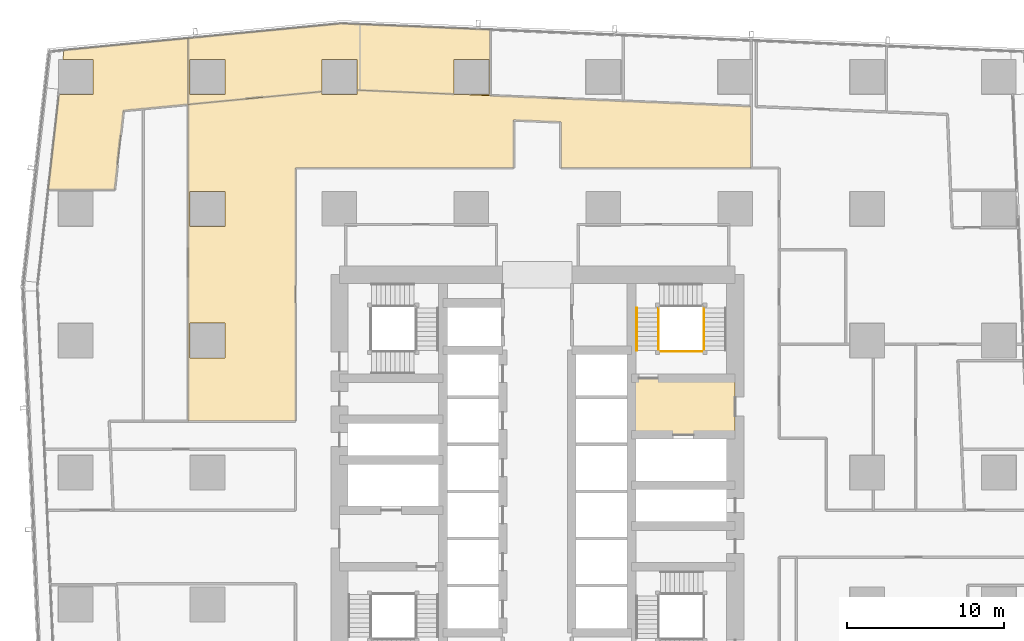
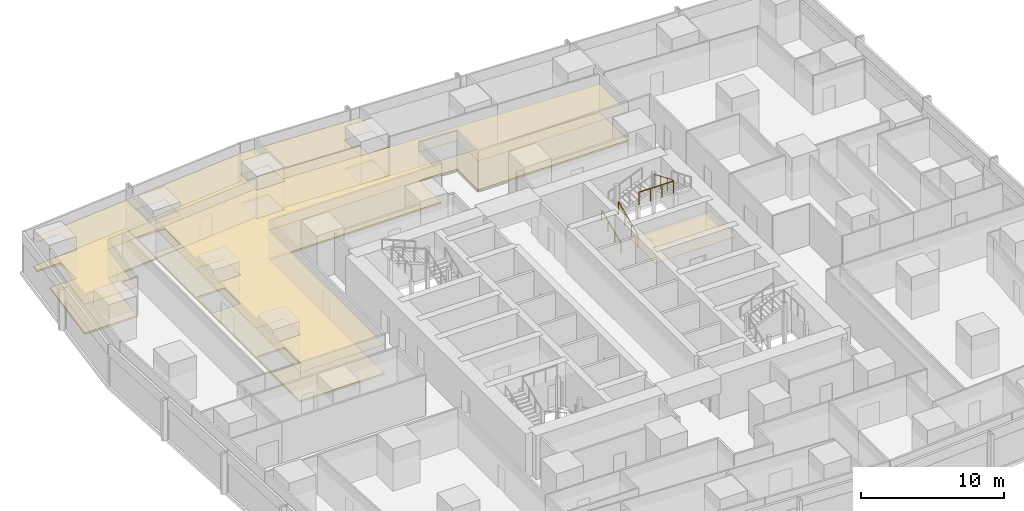
# One storey, part 43 of 45: 7 coverings, 4 railings.
"""IFC4 building model written with IfcOpenShell, lengths in metres."""

from ifc_helpers import new_model, si_unit, direction, frame, origin, origin_2d, place, context, subcontext, project, spatial, polyline, circle, outline, extrude, material, layer, layer_set, type_object, element, save


model = new_model("IFC4")

# Units and contexts
model_context = context("Model", 3, precision=1e-05, world=origin(), true_north=direction((0.0, 1.0)))
body_context = subcontext(model_context, "Body", "Model", "MODEL_VIEW")
ifc_project = project(units=[si_unit("LENGTHUNIT", "METRE"), si_unit("AREAUNIT", "SQUARE_METRE"), si_unit("VOLUMEUNIT", "CUBIC_METRE"), si_unit("PLANEANGLEUNIT", "RADIAN"), si_unit("MASSUNIT", "GRAM", prefix="KILO")], contexts=[model_context])

# Site, building, storey
site_placement = place(None, origin())
site = spatial("IfcSite", under=ifc_project, at=site_placement, CompositionType="ELEMENT")
building_placement = place(site_placement, origin())
building = spatial("IfcBuilding", under=site, at=building_placement, Name="Rekha Terrace Tower", CompositionType="ELEMENT")
storey_placement = place(building_placement, frame((0.0, 0.0, 44.14990234375)))
storey = spatial("IfcBuildingStorey", under=building, at=storey_placement, Name="L10", CompositionType="ELEMENT", Elevation=44.14990234375)

# Coverings
ifc_material_1 = material(Name="Mineral fibre tile in exposed grid", Category="finish")
ifc_layer_1 = layer(ifc_material_1, 0.02001953125)
ifc_layer_set_1 = layer_set([ifc_layer_1], Name="Mineral fibre tile in exposed grid")
covering_type_1 = type_object("IfcCoveringType", Name="CL1 600x1200 office grid ceiling", PredefinedType="CEILING", material=ifc_layer_set_1)
covering_1_placement = place(storey_placement, frame((0.0, 0.0, 2.580078125)))
element("IfcCovering", 1, at=covering_1_placement, inside=storey, type_object=covering_type_1, Name="Ceiling L10-13", PredefinedType="CEILING", context=body_context, shape_type="SweptSolid", body=[
    extrude(outline(polyline([(25.325927734375, 62.199951171875), (15.572998046875, 61.261962890625), (15.572998046875, 57.04296875), (24.0849609375, 57.862060546875), (24.0849609375, 59.9150390625), (26.31494140625, 59.9150390625), (26.31494140625, 57.9560546875), (26.508056640625, 57.947998046875), (32.485107421875, 57.700927734375), (32.485107421875, 59.9150390625), (34.715087890625, 59.9150390625), (34.715087890625, 57.68505859375), (33.5380859375, 57.68505859375), (33.537109375, 57.657958984375), (34.800048828125, 57.60595703125), (34.800048828125, 61.80908203125), (26.510986328125, 62.15087890625), (25.325927734375, 62.199951171875)]), holes=[polyline([(17.9150390625, 57.68505859375), (15.68505859375, 57.68505859375), (15.68505859375, 59.9150390625), (17.9150390625, 59.9150390625), (17.9150390625, 57.68505859375)])]), origin(), (0.0, 0.0, 1.0), 0.02001953125),
])
covering_2_placement = place(storey_placement, frame((0.0, 0.0, 2.580078125)))
element("IfcCovering", 2, at=covering_2_placement, inside=storey, type_object=covering_type_1, Name="Ceiling L10-14", PredefinedType="CEILING", context=body_context, shape_type="SweptSolid", body=[
    extrude(outline(polyline([(7.339111328125, 57.68505859375), (6.656982421875, 51.618896484375), (10.883056640625, 51.618896484375), (11.447998046875, 56.64599609375), (15.572021484375, 57.04296875), (15.572021484375, 61.261962890625), (7.655029296875, 60.5009765625), (7.589111328125, 59.9150390625), (9.514892578125, 59.9150390625), (9.514892578125, 57.68505859375), (7.339111328125, 57.68505859375)])), origin(), (0.0, 0.0, 1.0), 0.02001953125),
])
covering_3_placement = place(storey_placement, frame((0.0, 0.0, 2.580078125)))
element("IfcCovering", 3, at=covering_3_placement, inside=storey, type_object=covering_type_1, Name="Ceiling L10-O4", PredefinedType="CEILING", context=body_context, shape_type="SweptSolid", body=[
    extrude(outline(polyline([(24.0849609375, 57.862060546875), (15.572021484375, 57.04296875), (15.572021484375, 36.8779296875), (22.39990234375, 36.8779296875), (22.39990234375, 53.0), (36.300048828125, 53.0), (36.300048828125, 56.04296875), (39.300048828125, 55.9189453125), (39.300048828125, 53.0), (51.4150390625, 53.0), (51.4150390625, 56.9208984375), (43.27197265625, 57.257080078125), (34.800048828125, 57.60595703125), (32.885009765625, 57.68505859375), (32.485107421875, 57.68505859375), (32.485107421875, 57.701904296875), (26.509033203125, 57.947998046875), (26.31494140625, 57.9560546875), (26.31494140625, 57.68505859375), (24.0849609375, 57.68505859375), (24.0849609375, 57.862060546875)]), holes=[polyline([(17.9150390625, 40.885009765625), (15.68505859375, 40.885009765625), (15.68505859375, 43.114990234375), (17.9150390625, 43.114990234375), (17.9150390625, 40.885009765625)]), polyline([(17.9150390625, 49.284912109375), (15.68505859375, 49.284912109375), (15.68505859375, 51.514892578125), (17.9150390625, 51.514892578125), (17.9150390625, 49.284912109375)])]), origin(), (0.0, 0.0, 1.0), 0.02001953125),
])
ifc_material_2 = material(Name="Powder-coated aluminium pan", Category="aluminium")
ifc_layer_2 = layer(ifc_material_2, 0.030029296875)
ifc_layer_set_2 = layer_set([ifc_layer_2], Name="Powder-coated aluminium pan")
covering_type_2 = type_object("IfcCoveringType", Name="CL3 300x1200 metal pan ceiling", PredefinedType="CEILING", material=ifc_layer_set_2)
covering_4_placement = place(storey_placement, frame((0.0, 0.0, 2.570068359375)))
element("IfcCovering", 4, at=covering_4_placement, inside=storey, type_object=covering_type_2, Name="Ceiling L10-FLB2", PredefinedType="CEILING", context=body_context, shape_type="SweptSolid", body=[
    extrude(outline(polyline([(50.39990234375, 39.60009765625), (43.800048828125, 39.60009765625), (43.800048828125, 36.0), (50.39990234375, 36.0), (50.39990234375, 39.60009765625)])), origin(), (0.0, 0.0, 1.0), 0.030029296875),
])

# Railings
ifc_material_3 = material(Name="Stainless steel balustrade", Category="steel")
railing_type_1 = type_object("IfcRailingType", Name="GR1 1100 stair guard", PredefinedType="GUARDRAIL", material=ifc_material_3)
railing_1_placement = place(storey_placement, frame((45.514892578125, 41.375, 0.125)))
element("IfcRailing", 5, at=railing_1_placement, inside=storey, type_object=railing_type_1, Name="Guard ST2 L10 flight 1", PredefinedType="GUARDRAIL", context=body_context, shape_type="SweptSolid", body=[
    extrude(circle(Radius=0.02392578125, at=origin_2d()), frame((0.0, 0.0, 1.076171875), z_axis=(0.0, 0.923074453586, 0.384621311341), x_axis=(-1.0, 0.0, 0.0)), (0.0, 0.0, 1.0), 2.925048828125),
    extrude(circle(Radius=0.02099609375, at=origin_2d()), origin(), (0.0, 0.0, 1.0), 1.052001953125),
    extrude(circle(Radius=0.02099609375, at=origin_2d()), frame((0.0, 0.89990234375, 0.375)), (0.0, 0.0, 1.0), 1.052001953125),
    extrude(circle(Radius=0.02099609375, at=origin_2d()), frame((0.0, 1.800048828125, 0.75)), (0.0, 0.0, 1.0), 1.052001953125),
    extrude(circle(Radius=0.02099609375, at=origin_2d()), frame((0.0, 2.699951171875, 1.125)), (0.0, 0.0, 1.0), 1.052001953125),
])
railing_2_placement = place(storey_placement, frame((48.409912109375, 44.074951171875, 2.625)))
element("IfcRailing", 6, at=railing_2_placement, inside=storey, type_object=railing_type_1, Name="Guard ST2 L10 flight 3", PredefinedType="GUARDRAIL", context=body_context, shape_type="SweptSolid", body=[
    extrude(circle(Radius=0.02392578125, at=origin_2d()), frame((0.0, 0.0, 1.076171875), z_axis=(0.0, -0.923074453586, 0.384621311341), x_axis=(1.0, 0.0, 0.0)), (0.0, 0.0, 1.0), 2.925048828125),
    extrude(circle(Radius=0.02099609375, at=origin_2d()), origin(), (0.0, 0.0, 1.0), 1.052001953125),
    extrude(circle(Radius=0.02099609375, at=origin_2d()), frame((0.0, -0.89990234375, 0.375)), (0.0, 0.0, 1.0), 1.052001953125),
    extrude(circle(Radius=0.02099609375, at=origin_2d()), frame((0.0, -1.800048828125, 0.75)), (0.0, 0.0, 1.0), 1.052001953125),
    extrude(circle(Radius=0.02099609375, at=origin_2d()), frame((0.0, -2.699951171875, 1.125)), (0.0, 0.0, 1.0), 1.052001953125),
])
railing_3_placement = place(storey_placement, frame((45.574951171875, 41.31494140625, 3.75)))
element("IfcRailing", 7, at=railing_3_placement, inside=storey, type_object=railing_type_1, Name="Guard ST2 L10 landing 4", PredefinedType="GUARDRAIL", context=body_context, shape_type="SweptSolid", body=[
    extrude(circle(Radius=0.02392578125, at=origin_2d()), frame((0.0, 0.0, 1.076171875), z_axis=(1.0, 0.0, 0.0), x_axis=(0.0, 1.0, 0.0)), (0.0, 0.0, 1.0), 2.775146484375),
    extrude(circle(Radius=0.02099609375, at=origin_2d()), origin(), (0.0, 0.0, 1.0), 1.052001953125),
    extrude(circle(Radius=0.02099609375, at=origin_2d()), frame((0.925048828125, 0.0, 0.0)), (0.0, 0.0, 1.0), 1.052001953125),
    extrude(circle(Radius=0.02099609375, at=origin_2d()), frame((1.85009765625, 0.0, 0.0)), (0.0, 0.0, 1.0), 1.052001953125),
    extrude(circle(Radius=0.02099609375, at=origin_2d()), frame((2.775146484375, 0.0, 0.0)), (0.0, 0.0, 1.0), 1.052001953125),
])
ifc_material_4 = material(Name="Stainless steel tube", Category="steel")
railing_type_2 = type_object("IfcRailingType", Name="HR1 900 stair handrail", PredefinedType="HANDRAIL", material=ifc_material_4)
railing_4_placement = place(storey_placement, frame((44.135009765625, 41.375, 0.125)))
element("IfcRailing", 8, at=railing_4_placement, inside=storey, type_object=railing_type_2, Name="Handrail ST2 L10 flight 1", PredefinedType="HANDRAIL", context=body_context, shape_type="SweptSolid", body=[
    extrude(circle(Radius=0.02392578125, at=origin_2d()), frame((0.0, 0.0, 0.8759765625), z_axis=(0.0, 0.923074453586, 0.384621311341), x_axis=(-1.0, 0.0, 0.0)), (0.0, 0.0, 1.0), 2.925048828125),
    extrude(circle(Radius=0.02099609375, at=origin_2d()), origin(), (0.0, 0.0, 1.0), 0.851806640625),
    extrude(circle(Radius=0.02099609375, at=origin_2d()), frame((0.0, 0.89990234375, 0.375)), (0.0, 0.0, 1.0), 0.851806640625),
    extrude(circle(Radius=0.02099609375, at=origin_2d()), frame((0.0, 1.800048828125, 0.75)), (0.0, 0.0, 1.0), 0.851806640625),
    extrude(circle(Radius=0.02099609375, at=origin_2d()), frame((0.0, 2.699951171875, 1.125)), (0.0, 0.0, 1.0), 0.851806640625),
])

# Coverings
ifc_material_5 = material(Name="Calcium sulphate panels on steel pedestals", Category="steel")
ifc_layer_3 = layer(ifc_material_5, 0.14990234375)
ifc_layer_set_3 = layer_set([ifc_layer_3], Name="Calcium sulphate panels on steel pedestals")
covering_type_3 = type_object("IfcCoveringType", Name="RF1 150 raised access floor", PredefinedType="FLOORING", material=ifc_layer_set_3)
covering_5_placement = place(storey_placement, origin())
element("IfcCovering", 9, at=covering_5_placement, inside=storey, type_object=covering_type_3, Name="Raised floor L10-13", PredefinedType="FLOORING", context=body_context, shape_type="SweptSolid", body=[
    extrude(outline(polyline([(25.325927734375, 62.199951171875), (15.572998046875, 61.261962890625), (15.572998046875, 57.04296875), (24.0849609375, 57.862060546875), (24.0849609375, 59.9150390625), (26.31494140625, 59.9150390625), (26.31494140625, 57.9560546875), (26.508056640625, 57.947998046875), (32.485107421875, 57.700927734375), (32.485107421875, 59.9150390625), (34.715087890625, 59.9150390625), (34.715087890625, 57.68505859375), (33.5380859375, 57.68505859375), (33.537109375, 57.657958984375), (34.800048828125, 57.60595703125), (34.800048828125, 61.80908203125), (26.510986328125, 62.15087890625), (25.325927734375, 62.199951171875)]), holes=[polyline([(17.9150390625, 57.68505859375), (15.68505859375, 57.68505859375), (15.68505859375, 59.9150390625), (17.9150390625, 59.9150390625), (17.9150390625, 57.68505859375)])]), origin(), (0.0, 0.0, 1.0), 0.150146484375),
])
covering_6_placement = place(storey_placement, origin())
element("IfcCovering", 10, at=covering_6_placement, inside=storey, type_object=covering_type_3, Name="Raised floor L10-14", PredefinedType="FLOORING", context=body_context, shape_type="SweptSolid", body=[
    extrude(outline(polyline([(7.339111328125, 57.68505859375), (6.656982421875, 51.618896484375), (10.883056640625, 51.618896484375), (11.447998046875, 56.64599609375), (15.572021484375, 57.04296875), (15.572021484375, 61.261962890625), (7.655029296875, 60.5009765625), (7.589111328125, 59.9150390625), (9.514892578125, 59.9150390625), (9.514892578125, 57.68505859375), (7.339111328125, 57.68505859375)])), origin(), (0.0, 0.0, 1.0), 0.150146484375),
])
covering_7_placement = place(storey_placement, origin())
element("IfcCovering", 11, at=covering_7_placement, inside=storey, type_object=covering_type_3, Name="Raised floor L10-O4", PredefinedType="FLOORING", context=body_context, shape_type="SweptSolid", body=[
    extrude(outline(polyline([(24.0849609375, 57.862060546875), (15.572021484375, 57.04296875), (15.572021484375, 36.8779296875), (22.39990234375, 36.8779296875), (22.39990234375, 53.0), (36.300048828125, 53.0), (36.300048828125, 56.04296875), (39.300048828125, 55.9189453125), (39.300048828125, 53.0), (51.4150390625, 53.0), (51.4150390625, 56.9208984375), (43.27197265625, 57.257080078125), (34.800048828125, 57.60595703125), (32.885009765625, 57.68505859375), (32.485107421875, 57.68505859375), (32.485107421875, 57.701904296875), (26.509033203125, 57.947998046875), (26.31494140625, 57.9560546875), (26.31494140625, 57.68505859375), (24.0849609375, 57.68505859375), (24.0849609375, 57.862060546875)]), holes=[polyline([(17.9150390625, 40.885009765625), (15.68505859375, 40.885009765625), (15.68505859375, 43.114990234375), (17.9150390625, 43.114990234375), (17.9150390625, 40.885009765625)]), polyline([(17.9150390625, 49.284912109375), (15.68505859375, 49.284912109375), (15.68505859375, 51.514892578125), (17.9150390625, 51.514892578125), (17.9150390625, 49.284912109375)])]), origin(), (0.0, 0.0, 1.0), 0.150146484375),
])

save(model, "model.ifc")
